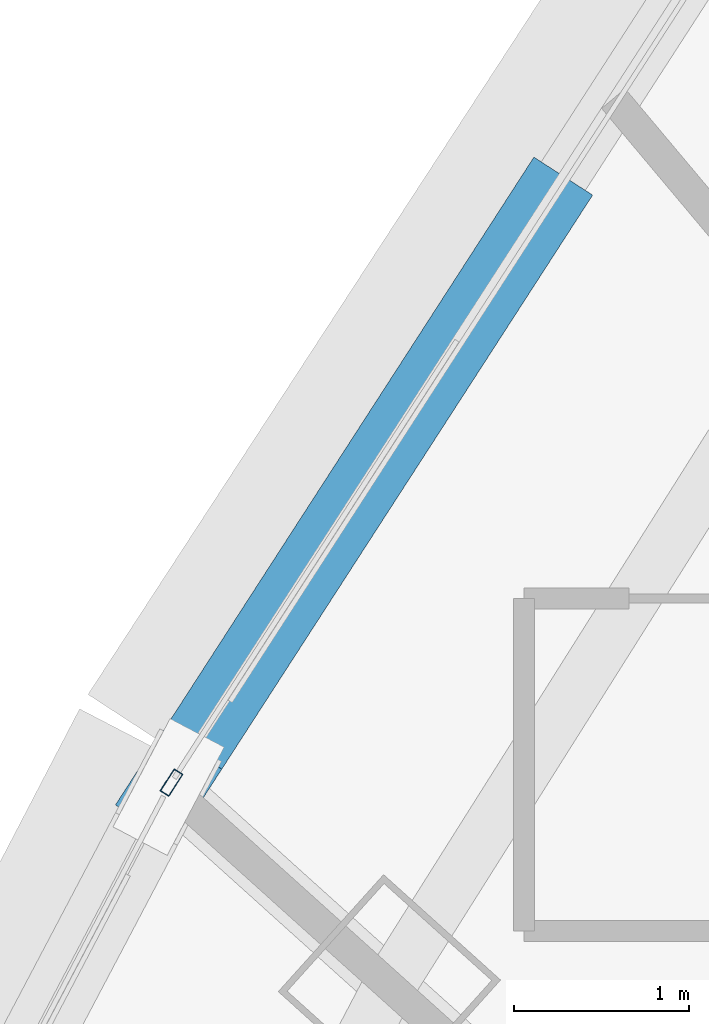
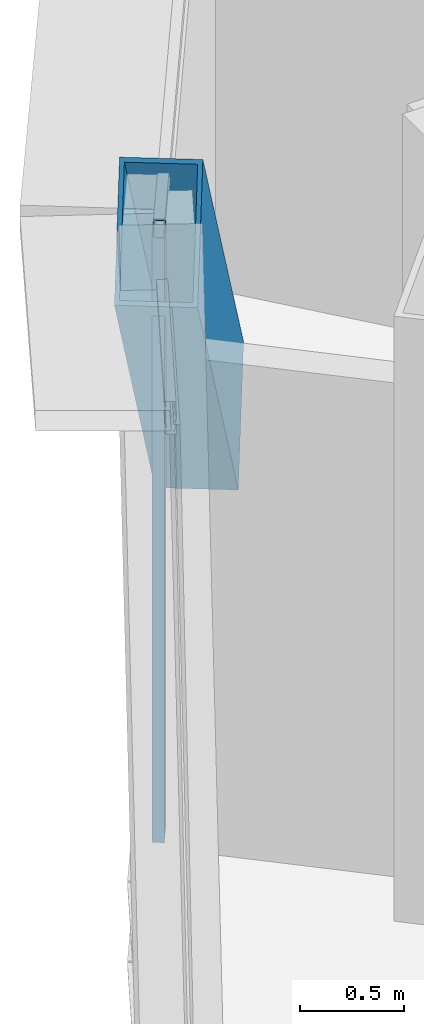
# One storey, part 16 of 38: 2 members, 1 element without a shape of its own.
"""IFC4 building model written with IfcOpenShell, lengths in metres."""

from ifc_helpers import new_model, si_unit, direction, frame, origin, origin_2d, place, context, subcontext, project, spatial, hollow_rectangle, extrude, source, transform, mapped, material, layer, layer_set, material_profile, profile_set, type_object, element, aggregate, save


model = new_model("IFC4")

# Units and contexts
model_context = context("Model", 3, precision=1e-05, world=origin(), true_north=direction((0.0, 1.0)))
body_context = subcontext(model_context, "Body", "Model", "MODEL_VIEW")
ifc_project = project(units=[si_unit("LENGTHUNIT", "METRE"), si_unit("AREAUNIT", "SQUARE_METRE"), si_unit("VOLUMEUNIT", "CUBIC_METRE"), si_unit("PLANEANGLEUNIT", "RADIAN"), si_unit("MASSUNIT", "GRAM", prefix="KILO"), si_unit("THERMODYNAMICTEMPERATUREUNIT", "KELVIN"), si_unit("POWERUNIT", "WATT")], contexts=[model_context])

# Site, building, storey
site_placement = place(None, origin())
site = spatial("IfcSite", under=ifc_project, at=site_placement, CompositionType="ELEMENT")
building_placement = place(site_placement, origin())
building = spatial("IfcBuilding", under=site, at=building_placement, Name="Yunzhuo Pagoda Commons", CompositionType="ELEMENT")
storey_placement = place(building_placement, frame((0.0, 0.0, 203.760009765625)))
storey = spatial("IfcBuildingStorey", under=building, at=storey_placement, Name="L51", CompositionType="ELEMENT", Elevation=203.760009765625)

# Member
ifc_material_1 = material(Name="Structural steel Q355B", Category="steel")
ifc_material_profile_1 = material_profile(ifc_material_1, hollow_rectangle(XDim=0.39990234375, YDim=0.719970703125, WallThickness=0.02392578125, at=origin_2d()), Name="Structural steel Q355B")
ifc_profile_set_1 = profile_set([ifc_material_profile_1], Name="Structural steel Q355B")
member_type_1 = type_object("IfcMemberType", Name="M-DL2 Brace BOX 720x400x24", PredefinedType="BRACE", material=ifc_profile_set_1)
shared_shape_1 = source(origin(), body_context, "Body", "SweptSolid", [
    extrude(hollow_rectangle(XDim=0.39990234375, YDim=0.719970703125, WallThickness=0.02392578125, at=origin_2d()), origin(), (0.0, 0.0, 1.0), 5.45068359375),
])
member_1_placement = place(storey_placement, frame((26.207275390625, 58.513671875, -0.260009765625), z_axis=(-0.389012502589, -0.602174333311, 0.697176695774), x_axis=(0.839970557763, -0.542631976657, 0.0)))
element("IfcMember", 1, at=member_1_placement, inside=storey, type_object=member_type_1, Name="L51 facade diamond brace F3.1R", PredefinedType="BRACE", context=body_context, shape_type="MappedRepresentation", body=[
    mapped(shared_shape_1, transform((0.0, 0.0, 0.0), scale=1.0)),
])

# Curtain wall, member
ifc_material_2 = material(Name="Anodized aluminium 6063-T6", Category="aluminium")
ifc_layer = layer(ifc_material_2, 0.14990234375)
ifc_layer_set = layer_set([ifc_layer], Name="Anodized aluminium 6063-T6")
curtain_wall_type = type_object("IfcCurtainWallType", Name="CW-MID Mid-Zone Ribbon Curtain Wall", PredefinedType="NOTDEFINED", material=ifc_layer_set)
curtain_wall_placement = place(storey_placement, origin())
curtain_wall = element("IfcCurtainWall", 2, at=curtain_wall_placement, inside=storey, type_object=curtain_wall_type, Name="L51 curtain wall CW-L51-F3B2", PredefinedType="NOTDEFINED")
ifc_material_profile_2 = material_profile(ifc_material_2, hollow_rectangle(XDim=0.06005859375, YDim=0.14990234375, WallThickness=0.00390625, at=origin_2d()), Name="Anodized aluminium 6063-T6")
ifc_profile_set_2 = profile_set([ifc_material_profile_2], Name="Anodized aluminium 6063-T6")
member_type_2 = type_object("IfcMemberType", Name="CW-MID-M Mullion RHS 150x60x4", PredefinedType="MULLION", material=ifc_profile_set_2)
shared_shape_2 = source(origin(), body_context, "Body", "SweptSolid", [
    extrude(hollow_rectangle(XDim=0.06005859375, YDim=0.14990234375, WallThickness=0.00390625, at=origin_2d()), origin(), (0.0, 0.0, 1.0), 3.5400390625),
])
member_2_placement = place(storey_placement, frame((24.10302734375, 55.256591796875, 0.0), z_axis=(0.0, 0.0, 1.0), x_axis=(0.839965077478, -0.542640459805, 0.0)))
member_2 = element("IfcMember", 3, at=member_2_placement, type_object=member_type_2, Name="CW mullion 2", PredefinedType="MULLION", context=body_context, shape_type="MappedRepresentation", body=[
    mapped(shared_shape_2, transform((0.0, 0.0, 0.0), scale=1.0)),
])
aggregate(curtain_wall, [member_2])

save(model, "model.ifc")
